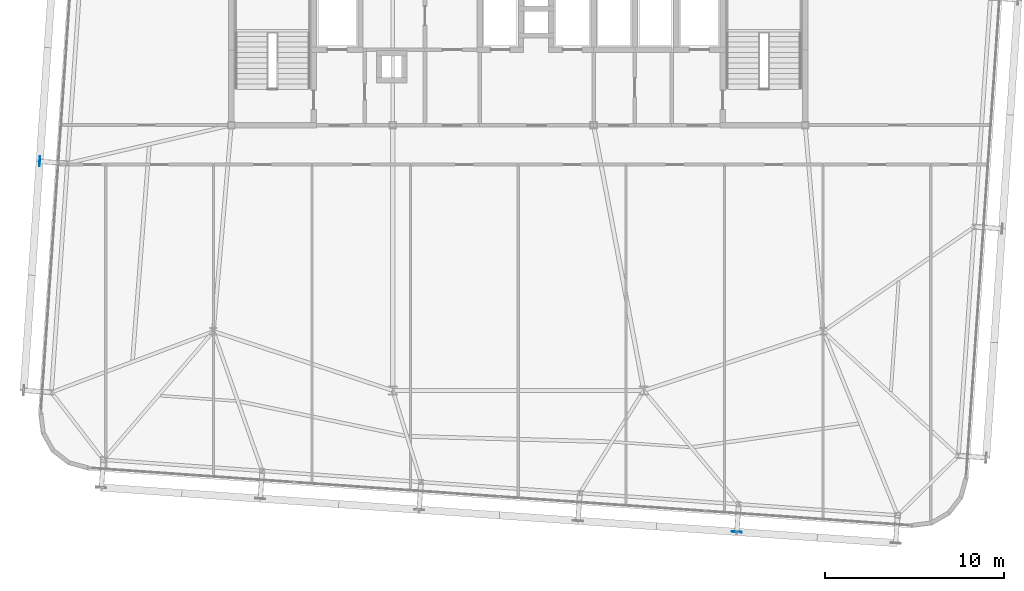
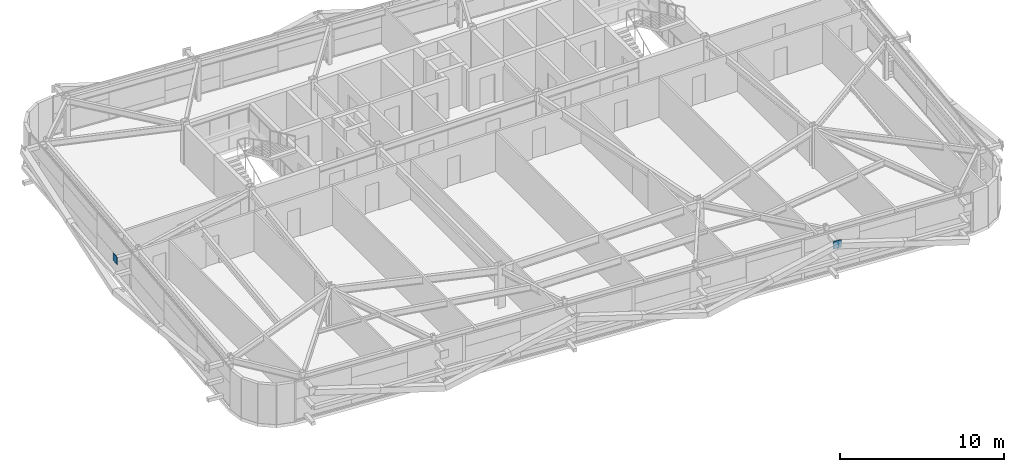
# One storey, part 29 of 39: 2 plates.
"""IFC4 building model written with IfcOpenShell, lengths in metres."""

from ifc_helpers import new_model, si_unit, direction, frame, origin, origin_2d, place, context, subcontext, project, spatial, rectangle, extrude, source, transform, mapped, material, layer, layer_set, type_object, element, save


model = new_model("IFC4")

# Units and contexts
model_context = context("Model", 3, precision=1e-05, world=origin(), true_north=direction((0.0, 1.0)))
body_context = subcontext(model_context, "Body", "Model", "MODEL_VIEW")
ifc_project = project(units=[si_unit("LENGTHUNIT", "METRE"), si_unit("AREAUNIT", "SQUARE_METRE"), si_unit("VOLUMEUNIT", "CUBIC_METRE"), si_unit("PLANEANGLEUNIT", "RADIAN"), si_unit("MASSUNIT", "GRAM", prefix="KILO")], contexts=[model_context])

# Site, building, storey
site_placement = place(None, origin())
site = spatial("IfcSite", under=ifc_project, at=site_placement, CompositionType="ELEMENT")
building_placement = place(site_placement, origin())
building = spatial("IfcBuilding", under=site, at=building_placement, Name="Taldren Reach Tower", CompositionType="ELEMENT")
storey_placement = place(building_placement, frame((0.0, 0.0, 123.550048828125)))
storey = spatial("IfcBuildingStorey", under=building, at=storey_placement, Name="L37", CompositionType="ELEMENT", Elevation=123.550048828125)

# Plates
ifc_material = material(Name="Steel Gr 450 (C450L0)", Category="steel")
ifc_layer = layer(ifc_material, 0.0400390625)
ifc_layer_set = layer_set([ifc_layer], Name="Steel Gr 450 (C450L0)")
plate_type = type_object("IfcPlateType", Name="PL-GUSSET-40", PredefinedType="SHEET", material=ifc_layer_set)
shared_shape = source(origin(), body_context, "Body", "SweptSolid", [
    extrude(rectangle(XDim=0.56005859375, YDim=0.0400390625, at=origin_2d()), origin(), (0.0, 0.0, 1.0), 0.56005859375),
])
for number, where, z_axis, x_axis, name in (
    (1, (47.18896484375, 1.314453125, 2.369873046875), (0.0, 0.0, 1.0), (0.99756405026, -0.069756473744, 0.0), "Exoskeleton star-node gusset plate B3-S5 L37"),
    (2, (8.3154296875, 21.9765625, 2.369873046875), (0.0, 0.0, 1.0), (0.069756473744, 0.99756405026, 0.0), "Exoskeleton star-node gusset plate B3-W2 L37"),
):
    element("IfcPlate", number, at=place(storey_placement, frame(where, z_axis=z_axis, x_axis=x_axis)), inside=storey, type_object=plate_type, Name=name, PredefinedType="SHEET", context=body_context, shape_type="MappedRepresentation", body=[
        mapped(shared_shape, transform((0.0, 0.0, 0.0), scale=1.0)),
    ])

save(model, "model.ifc")
